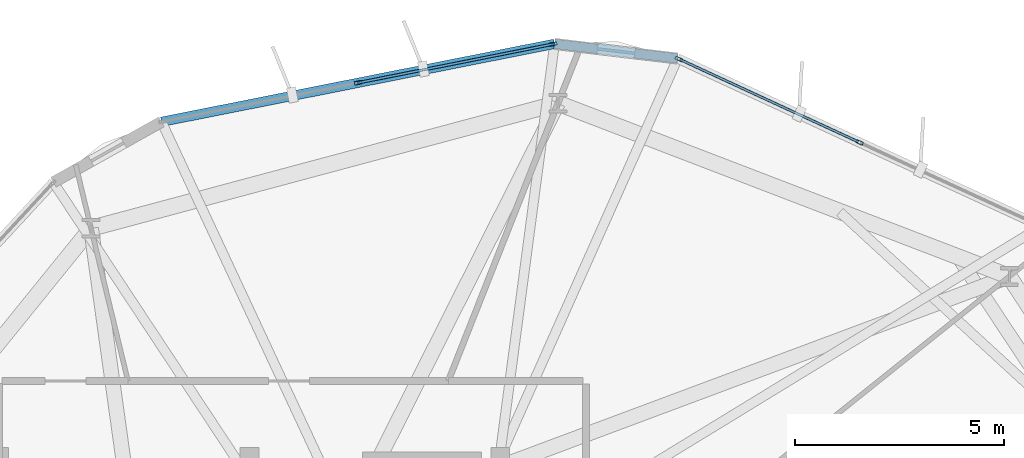
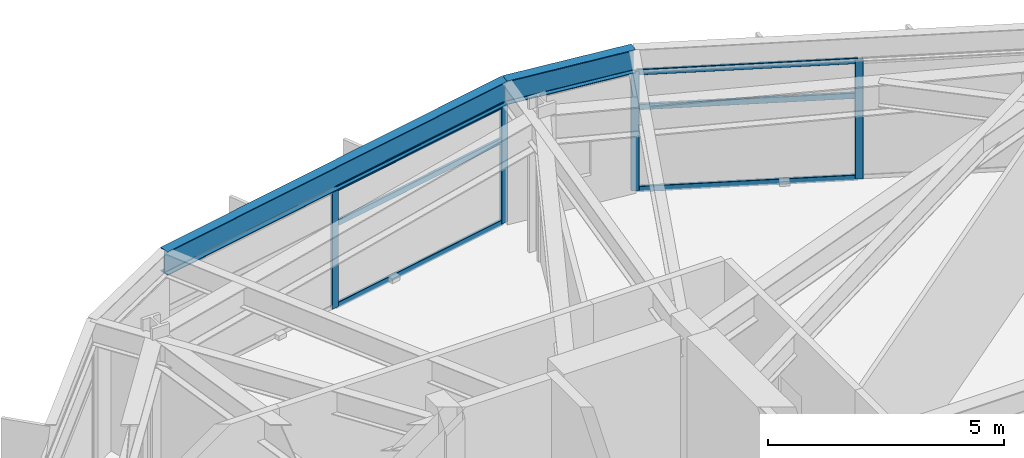
# One storey, part 14 of 22: 10 members, 2 beams, 2 elements without a shape of their own.
"""IFC4 building model written with IfcOpenShell, lengths in metres."""

import ifcopenshell
import ifcopenshell.guid

model = None  # the IFC model being written
_history = None  # IfcOwnerHistory: only IFC2X3 demands one
_inside = {}  # id of a spatial element -> (the spatial element, [elements in it])
_under = {}  # id of a project, library or spatial element -> (it, [spatial elements below it])
_declared = {}  # id of a project -> (the project, [libraries it declares])
_typed = {}  # id of a type object -> (the type object, [elements of that type])
_made_of = {}  # id of a material, layer set ... -> (it, [elements and type objects made of it])


def new_model(schema):
    """Start an empty IFC model of exactly this schema.

    Asked for "IFC4X3", IfcOpenShell would pick the latest addendum, in which some entities
    have other attributes; the version numbers below select the first issue.
    IFC2X3 requires an IfcOwnerHistory on every rooted entity: one is made here for all.
    """
    global model, _history
    if schema == "IFC4X3":
        model = ifcopenshell.file(schema_version=(4, 3, 0, 0))
    else:
        model = ifcopenshell.file(schema=schema)
    _inside.clear()
    _under.clear()
    _declared.clear()
    _typed.clear()
    _made_of.clear()
    _history = None
    if model.schema == "IFC2X3":
        org = make("IfcOrganization", Name="unknown")
        user = make(
            "IfcPersonAndOrganization",
            ThePerson=make("IfcPerson", FamilyName="unknown"),
            TheOrganization=org,
        )
        app = make(
            "IfcApplication",
            ApplicationDeveloper=org,
            Version="unknown",
            ApplicationFullName="unknown",
            ApplicationIdentifier="unknown",
        )
        _history = make(
            "IfcOwnerHistory",
            OwningUser=user,
            OwningApplication=app,
            ChangeAction="ADDED",
            CreationDate=0,
        )
    return model


def make(cls, **values):
    """One entity of the class cls with the attributes given. An attribute that is None is left unset."""
    return model.create_entity(
        cls, **{name: value for name, value in values.items() if value is not None}
    )


def rooted(cls, **values):
    """An entity with a GlobalId (a new one), such as an element, a storey or a relation."""
    return make(cls, GlobalId=ifcopenshell.guid.new(), OwnerHistory=_history, **values)


def si_unit(unit_type, name, prefix=None):
    """IfcSIUnit, for example si_unit("LENGTHUNIT", "METRE", prefix="MILLI")."""
    return make("IfcSIUnit", UnitType=unit_type, Prefix=prefix, Name=name)


def assignment(units):
    """IfcUnitAssignment: the units of a project."""
    return None if units is None else make("IfcUnitAssignment", Units=units)


def point(xyz):
    """IfcCartesianPoint."""
    return None if xyz is None else make("IfcCartesianPoint", Coordinates=xyz)


def direction(xyz):
    """IfcDirection."""
    return None if xyz is None else make("IfcDirection", DirectionRatios=xyz)


def frame(location, z_axis=None, x_axis=None):
    """IfcAxis2Placement3D, a coordinate frame: its origin and axes. An axis left out is left unset."""
    return make(
        "IfcAxis2Placement3D",
        Location=point(location),
        Axis=direction(z_axis),
        RefDirection=direction(x_axis),
    )


def frame_2d(location, x_axis=None):
    """IfcAxis2Placement2D, a coordinate frame in the plane: its origin and x axis."""
    return make(
        "IfcAxis2Placement2D", Location=point(location), RefDirection=direction(x_axis)
    )


def origin():
    """The frame at (0, 0, 0) with its axes left unset."""
    return frame((0.0, 0.0, 0.0))


def origin_2d():
    """The frame at (0, 0) in the plane with its x axis left unset."""
    return frame_2d((0.0, 0.0))


def place(relative_to, where):
    """IfcLocalPlacement: puts the frame where relative to a parent placement (None: the world)."""
    return make(
        "IfcLocalPlacement", PlacementRelTo=relative_to, RelativePlacement=where
    )


def context(
    kind, dimensions, precision=None, world=None, true_north=None, identifier=None
):
    """IfcGeometricRepresentationContext, for example the 3D "Model" context."""
    return make(
        "IfcGeometricRepresentationContext",
        ContextIdentifier=identifier,
        ContextType=kind,
        CoordinateSpaceDimension=dimensions,
        Precision=precision,
        WorldCoordinateSystem=world,
        TrueNorth=true_north,
    )


def subcontext(parent, identifier, kind, view, scale=None):
    """IfcGeometricRepresentationSubContext, for example "Body" below "Model"."""
    return make(
        "IfcGeometricRepresentationSubContext",
        ContextIdentifier=identifier,
        ContextType=kind,
        ParentContext=parent,
        TargetScale=scale,
        TargetView=view,
    )


def project(units=None, contexts=None):
    """IfcProject with its units and contexts."""
    return rooted(
        "IfcProject",
        Name="project",
        RepresentationContexts=contexts,
        UnitsInContext=assignment(units),
    )


def spatial(cls, under=None, at=None, **own):
    """A site, building, storey or space (cls), placed at a placement, below another one or the project."""
    s = rooted(cls, ObjectPlacement=at, **own)
    if under is not None:
        _under.setdefault(under.id(), (under, []))[1].append(s)
    return s


def profile(cls, at=None, kind="AREA", **sizes):
    """A parametric profile (cls). Its sizes go by their IFC names, for example OverallWidth=200.0."""
    return make(cls, ProfileType=kind, Position=at, **sizes)


def hollow_rectangle(**sizes):
    """IfcRectangleHollowProfileDef."""
    return profile("IfcRectangleHollowProfileDef", **sizes)


def i_section(**sizes):
    """IfcIShapeProfileDef."""
    return profile("IfcIShapeProfileDef", **sizes)


def extrude(swept, where, along, depth):
    """IfcExtrudedAreaSolid: the profile swept, set in the frame where, extruded along a direction by depth."""
    return make(
        "IfcExtrudedAreaSolid",
        SweptArea=swept,
        Position=where,
        ExtrudedDirection=direction(along),
        Depth=depth,
    )


def shape(context_of_items, identifier, shape_type, items):
    """IfcShapeRepresentation: the items that make up one representation, for example the "Body"."""
    return make(
        "IfcShapeRepresentation",
        ContextOfItems=context_of_items,
        RepresentationIdentifier=identifier,
        RepresentationType=shape_type,
        Items=items,
    )


def material(Name=None, Category=None):
    """IfcMaterial."""
    return make("IfcMaterial", Name=Name, Category=Category)


def layer(
    of_material, thickness, ventilated=None, Name=None, Category=None, Priority=None
):
    """IfcMaterialLayer: one layer of a wall or slab, of a material (None: an air gap)."""
    return make(
        "IfcMaterialLayer",
        Material=of_material,
        LayerThickness=thickness,
        IsVentilated=ventilated,
        Name=Name,
        Category=Category,
        Priority=Priority,
    )


def layer_set(layers, Name=None):
    """IfcMaterialLayerSet."""
    return make("IfcMaterialLayerSet", MaterialLayers=layers, LayerSetName=Name)


def material_profile(
    of_material, cross_section, Name=None, Category=None, Priority=None
):
    """IfcMaterialProfile: a cross section and its material."""
    return make(
        "IfcMaterialProfile",
        Name=Name,
        Material=of_material,
        Profile=cross_section,
        Priority=Priority,
        Category=Category,
    )


def profile_set(profiles, Name=None, composite=None):
    """IfcMaterialProfileSet."""
    return make(
        "IfcMaterialProfileSet",
        Name=Name,
        MaterialProfiles=profiles,
        CompositeProfile=composite,
    )


def made_of(thing, what):
    """Note that an element or type object is made of a material, layer set ...; save() writes the relation."""
    if what is not None:
        _made_of.setdefault(what.id(), (what, []))[1].append(thing)
    return thing


def type_object(cls, material=None, **own):
    """A type object (cls), such as IfcWallType, which elements share."""
    return made_of(rooted(cls, **own), material)


def element(
    cls,
    number,
    at=None,
    inside=None,
    cuts=None,
    type_object=None,
    material=None,
    context=None,
    identifier="Body",
    shape_type=None,
    held_by="IfcProductDefinitionShape",
    body=None,
    shapes=None,
    **own,
):
    """One element of the class cls, such as IfcWall. Its Tag is "e" and its number.

    at: its placement. inside: the storey or other place that contains it. cuts: it is an
    opening in that element (IfcRelVoidsElement). A single representation is given by context,
    identifier, shape_type and body (its items); several are given by shapes. held_by: the class
    of the entity that holds the representations. save() writes the other relations.
    """
    e = rooted(cls, Tag="e%d" % number, ObjectPlacement=at, **own)
    if body is not None:
        shapes = [shape(context, identifier, shape_type, body)]
    if shapes is not None:
        e.Representation = make(held_by, Representations=shapes)
    if inside is not None:
        _inside.setdefault(inside.id(), (inside, []))[1].append(e)
    if cuts is not None:
        rooted(
            "IfcRelVoidsElement", RelatingBuildingElement=cuts, RelatedOpeningElement=e
        )
    if type_object is not None:
        _typed.setdefault(type_object.id(), (type_object, []))[1].append(e)
    return made_of(e, material)


def aggregate(whole, parts):
    """IfcRelAggregates: a whole, such as a stair, and the parts it consists of."""
    return rooted("IfcRelAggregates", RelatingObject=whole, RelatedObjects=parts)


def save(model, path):
    """Write the relations noted so far, then the file.

    IfcRelAggregates (storeys below a building ...), IfcRelContainedInSpatialStructure (elements
    in a storey), IfcRelDefinesByType, IfcRelAssociatesMaterial and IfcRelDeclares: one each for
    every whole, place, type object, material and project.
    """
    for whole, parts in _under.values():
        aggregate(whole, parts)
    for where, things in _inside.values():
        rooted(
            "IfcRelContainedInSpatialStructure",
            RelatedElements=things,
            RelatingStructure=where,
        )
    for kind, things in _typed.values():
        rooted("IfcRelDefinesByType", RelatedObjects=things, RelatingType=kind)
    for what, things in _made_of.values():
        rooted("IfcRelAssociatesMaterial", RelatedObjects=things, RelatingMaterial=what)
    for by, libraries in _declared.values():
        rooted("IfcRelDeclares", RelatingContext=by, RelatedDefinitions=libraries)
    model.write(path)


model = new_model("IFC4")

# Units and contexts
model_context = context("Model", 3, precision=1e-05, world=origin(), true_north=direction((0.0, 1.0)))
body_context = subcontext(model_context, "Body", "Model", "MODEL_VIEW")
ifc_project = project(units=[si_unit("LENGTHUNIT", "METRE"), si_unit("AREAUNIT", "SQUARE_METRE"), si_unit("VOLUMEUNIT", "CUBIC_METRE"), si_unit("PLANEANGLEUNIT", "RADIAN"), si_unit("MASSUNIT", "GRAM", prefix="KILO")], contexts=[model_context])

# Site, building, storey
site_placement = place(None, origin())
site = spatial("IfcSite", under=ifc_project, at=site_placement, CompositionType="ELEMENT")
building_placement = place(site_placement, origin())
building = spatial("IfcBuilding", under=site, at=building_placement, Name="Soratama Intermodal Tower", CompositionType="ELEMENT")
storey_placement = place(building_placement, frame((0.0, 0.0, 70.60009765625)))
storey = spatial("IfcBuildingStorey", under=building, at=storey_placement, Name="L16", CompositionType="ELEMENT", Elevation=70.60009765625)

# Beams
ifc_material_1 = material(Name="Structural steel ASTM A992 Grade 50", Category="steel")
ifc_material_profile_1 = material_profile(ifc_material_1, i_section(OverallWidth=0.22900390625, OverallDepth=0.612060546875, WebThickness=0.011962890625, FlangeThickness=0.01953125, FilletRadius=0.012939453125, at=origin_2d()), Name="W24X84")
ifc_profile_set_1 = profile_set([ifc_material_profile_1], Name="Structural steel ASTM A992 Grade 50")
beam_type = type_object("IfcBeamType", Name="BM-SPN-W24X84", PredefinedType="SPANDREL", material=ifc_profile_set_1)
beam_1_placement = place(storey_placement, frame((48.843994140625, 44.76611328125, 3.393798828125), z_axis=(-0.993022501808, 0.117925022383, 0.0), x_axis=(-0.117925022383, -0.993022501808, 0.0)))
element("IfcBeam", 1, at=beam_1_placement, inside=storey, type_object=beam_type, Name="BS-L16-CRN02", PredefinedType="SPANDREL", context=body_context, shape_type="SweptSolid", body=[
    extrude(i_section(OverallWidth=0.22900390625, OverallDepth=0.612060546875, WebThickness=0.011962890625, FlangeThickness=0.01953125, FilletRadius=0.012939453125, at=origin_2d()), origin(), (0.0, 0.0, 1.0), 2.966796875),
])
beam_2_placement = place(storey_placement, frame((45.89794921875, 45.115966796875, 3.393798828125), z_axis=(-0.98088885747, -0.19456888058, 0.0), x_axis=(0.19456888058, -0.98088885747, 0.0)))
element("IfcBeam", 2, at=beam_2_placement, inside=storey, type_object=beam_type, Name="BS-L16-F03", PredefinedType="SPANDREL", context=body_context, shape_type="SweptSolid", body=[
    extrude(i_section(OverallWidth=0.22900390625, OverallDepth=0.612060546875, WebThickness=0.011962890625, FlangeThickness=0.01953125, FilletRadius=0.012939453125, at=origin_2d()), origin(), (0.0, 0.0, 1.0), 9.59033203125),
])

# Curtain wall, members
ifc_material_2 = material(Name="Double-glazed aluminium curtain wall", Category="aluminium")
ifc_layer = layer(ifc_material_2, 0.159912109375)
ifc_layer_set = layer_set([ifc_layer], Name="Double-glazed aluminium curtain wall")
curtain_wall_type = type_object("IfcCurtainWallType", Name="CW-SYS-2", PredefinedType="NOTDEFINED", material=ifc_layer_set)
curtain_wall_1_placement = place(storey_placement, origin())
curtain_wall_1 = element("IfcCurtainWall", 3, at=curtain_wall_1_placement, inside=storey, type_object=curtain_wall_type, Name="L16 Faceted Curtain Wall F02", PredefinedType="NOTDEFINED")
ifc_material_3 = material(Name="Anodised aluminium AA 6063-T6", Category="aluminium")
ifc_material_profile_2 = material_profile(ifc_material_3, hollow_rectangle(XDim=0.074951171875, YDim=0.179931640625, WallThickness=0.006103515625, InnerFilletRadius=0.006103515625, OuterFilletRadius=0.011962890625, at=origin_2d()), Name="CWM180X75X6")
ifc_profile_set_2 = profile_set([ifc_material_profile_2], Name="Anodised aluminium AA 6063-T6")
member_type_1 = type_object("IfcMemberType", Name="MT-CWM-2", PredefinedType="MULLION", material=ifc_profile_set_2)
member_1_placement = place(storey_placement, frame((53.197021484375, 42.75634765625, 0.0), z_axis=(0.0, 0.0, 1.0), x_axis=(-0.419137529357, -0.907922756343, 0.0)))
member_1 = element("IfcMember", 4, at=member_1_placement, type_object=member_type_1, Name="CW-2 mullion 2", PredefinedType="MULLION", context=body_context, shape_type="SweptSolid", body=[
    extrude(hollow_rectangle(XDim=0.074951171875, YDim=0.179931640625, WallThickness=0.006103515625, InnerFilletRadius=0.006103515625, OuterFilletRadius=0.011962890625, at=origin_2d()), origin(), (0.0, 0.0, 1.0), 3.078857421875),
])
member_2_placement = place(storey_placement, frame((48.870849609375, 44.75341796875, 0.0), z_axis=(0.0, 0.0, 1.0), x_axis=(-0.419137529357, -0.907922756343, 0.0)))
member_2 = element("IfcMember", 5, at=member_2_placement, type_object=member_type_1, Name="CW-2 mullion 3", PredefinedType="MULLION", context=body_context, shape_type="SweptSolid", body=[
    extrude(hollow_rectangle(XDim=0.074951171875, YDim=0.179931640625, WallThickness=0.006103515625, InnerFilletRadius=0.006103515625, OuterFilletRadius=0.011962890625, at=origin_2d()), origin(), (0.0, 0.0, 1.0), 3.078857421875),
])

curtain_wall_2_placement = place(storey_placement, origin())
curtain_wall_2 = element("IfcCurtainWall", 6, at=curtain_wall_2_placement, inside=storey, type_object=curtain_wall_type, Name="L16 Faceted Curtain Wall F03", PredefinedType="NOTDEFINED")
member_3_placement = place(storey_placement, frame((45.868408203125, 45.1103515625, 0.0), z_axis=(0.0, 0.0, 1.0), x_axis=(0.194571779732, -0.980888282391, 0.0)))
member_3 = element("IfcMember", 7, at=member_3_placement, type_object=member_type_1, Name="CW-2 mullion 1", PredefinedType="MULLION", context=body_context, shape_type="SweptSolid", body=[
    extrude(hollow_rectangle(XDim=0.074951171875, YDim=0.179931640625, WallThickness=0.006103515625, InnerFilletRadius=0.006103515625, OuterFilletRadius=0.011962890625, at=origin_2d()), origin(), (0.0, 0.0, 1.0), 3.078857421875),
])
member_4_placement = place(storey_placement, frame((41.194580078125, 44.183349609375, 0.0), z_axis=(0.0, 0.0, 1.0), x_axis=(0.194571779732, -0.980888282391, 0.0)))
member_4 = element("IfcMember", 8, at=member_4_placement, type_object=member_type_1, Name="CW-2 mullion 2", PredefinedType="MULLION", context=body_context, shape_type="SweptSolid", body=[
    extrude(hollow_rectangle(XDim=0.074951171875, YDim=0.179931640625, WallThickness=0.006103515625, InnerFilletRadius=0.006103515625, OuterFilletRadius=0.011962890625, at=origin_2d()), origin(), (0.0, 0.0, 1.0), 3.078857421875),
])

# Member
ifc_material_4 = material(Name="Anodised aluminium AA 6063-T6", Category="aluminium")
ifc_material_profile_3 = material_profile(ifc_material_4, hollow_rectangle(XDim=0.06494140625, YDim=0.14990234375, WallThickness=0.0048828125, InnerFilletRadius=0.0048828125, OuterFilletRadius=0.010009765625, at=origin_2d()), Name="CWT150X65X5")
ifc_profile_set_3 = profile_set([ifc_material_profile_3], Name="Anodised aluminium AA 6063-T6")
member_type_2 = type_object("IfcMemberType", Name="TT-CWT-1", PredefinedType="USERDEFINED", material=ifc_profile_set_3)
member_5_placement = place(storey_placement, frame((53.169921875, 42.768798828125, 0.02978515625), z_axis=(-0.907910779438, 0.419163472384, 0.0), x_axis=(-0.419163472384, -0.907910779438, 0.0)))
member_5 = element("IfcMember", 9, at=member_5_placement, type_object=member_type_2, Name="CW-2 transom 2.1", ObjectType="TRANSOM", PredefinedType="USERDEFINED", context=body_context, shape_type="SweptSolid", body=[
    extrude(hollow_rectangle(XDim=0.06494140625, YDim=0.14990234375, WallThickness=0.0048828125, InnerFilletRadius=0.0048828125, OuterFilletRadius=0.010009765625, at=origin_2d()), origin(), (0.0, 0.0, 1.0), 4.705078125),
])

member_6_placement = place(storey_placement, frame((53.169921875, 42.768798828125, 2.14990234375), z_axis=(-0.907910779438, 0.419163472384, 0.0), x_axis=(-0.419163472384, -0.907910779438, 0.0)))
member_6 = element("IfcMember", 10, at=member_6_placement, type_object=member_type_2, Name="CW-2 transom 2.2", ObjectType="TRANSOM", PredefinedType="USERDEFINED", context=body_context, shape_type="SweptSolid", body=[
    extrude(hollow_rectangle(XDim=0.06494140625, YDim=0.14990234375, WallThickness=0.0048828125, InnerFilletRadius=0.0048828125, OuterFilletRadius=0.010009765625, at=origin_2d()), origin(), (0.0, 0.0, 1.0), 4.705078125),
])

member_7_placement = place(storey_placement, frame((53.169921875, 42.768798828125, 3.048828125), z_axis=(-0.907910779438, 0.419163472384, 0.0), x_axis=(-0.419163472384, -0.907910779438, 0.0)))
member_7 = element("IfcMember", 11, at=member_7_placement, type_object=member_type_2, Name="CW-2 transom 2.3", ObjectType="TRANSOM", PredefinedType="USERDEFINED", context=body_context, shape_type="SweptSolid", body=[
    extrude(hollow_rectangle(XDim=0.06494140625, YDim=0.14990234375, WallThickness=0.0048828125, InnerFilletRadius=0.0048828125, OuterFilletRadius=0.010009765625, at=origin_2d()), origin(), (0.0, 0.0, 1.0), 4.705078125),
])

aggregate(curtain_wall_1, [member_1, member_2, member_5, member_6, member_7])

member_8_placement = place(storey_placement, frame((45.839111328125, 45.1044921875, 0.02978515625), z_axis=(-0.980894745453, -0.194539194874, 0.0), x_axis=(0.194539194874, -0.980894745453, 0.0)))
member_8 = element("IfcMember", 12, at=member_8_placement, type_object=member_type_2, Name="CW-2 transom 1.1", ObjectType="TRANSOM", PredefinedType="USERDEFINED", context=body_context, shape_type="SweptSolid", body=[
    extrude(hollow_rectangle(XDim=0.06494140625, YDim=0.14990234375, WallThickness=0.0048828125, InnerFilletRadius=0.0048828125, OuterFilletRadius=0.010009765625, at=origin_2d()), origin(), (0.0, 0.0, 1.0), 4.704833984375),
])

member_9_placement = place(storey_placement, frame((45.839111328125, 45.1044921875, 2.14990234375), z_axis=(-0.980894745453, -0.194539194874, 0.0), x_axis=(0.194539194874, -0.980894745453, 0.0)))
member_9 = element("IfcMember", 13, at=member_9_placement, type_object=member_type_2, Name="CW-2 transom 1.2", ObjectType="TRANSOM", PredefinedType="USERDEFINED", context=body_context, shape_type="SweptSolid", body=[
    extrude(hollow_rectangle(XDim=0.06494140625, YDim=0.14990234375, WallThickness=0.0048828125, InnerFilletRadius=0.0048828125, OuterFilletRadius=0.010009765625, at=origin_2d()), origin(), (0.0, 0.0, 1.0), 4.704833984375),
])

member_10_placement = place(storey_placement, frame((45.839111328125, 45.1044921875, 3.048828125), z_axis=(-0.980894745453, -0.194539194874, 0.0), x_axis=(0.194539194874, -0.980894745453, 0.0)))
member_10 = element("IfcMember", 14, at=member_10_placement, type_object=member_type_2, Name="CW-2 transom 1.3", ObjectType="TRANSOM", PredefinedType="USERDEFINED", context=body_context, shape_type="SweptSolid", body=[
    extrude(hollow_rectangle(XDim=0.06494140625, YDim=0.14990234375, WallThickness=0.0048828125, InnerFilletRadius=0.0048828125, OuterFilletRadius=0.010009765625, at=origin_2d()), origin(), (0.0, 0.0, 1.0), 4.704833984375),
])

aggregate(curtain_wall_2, [member_3, member_4, member_8, member_9, member_10])

save(model, "model.ifc")
